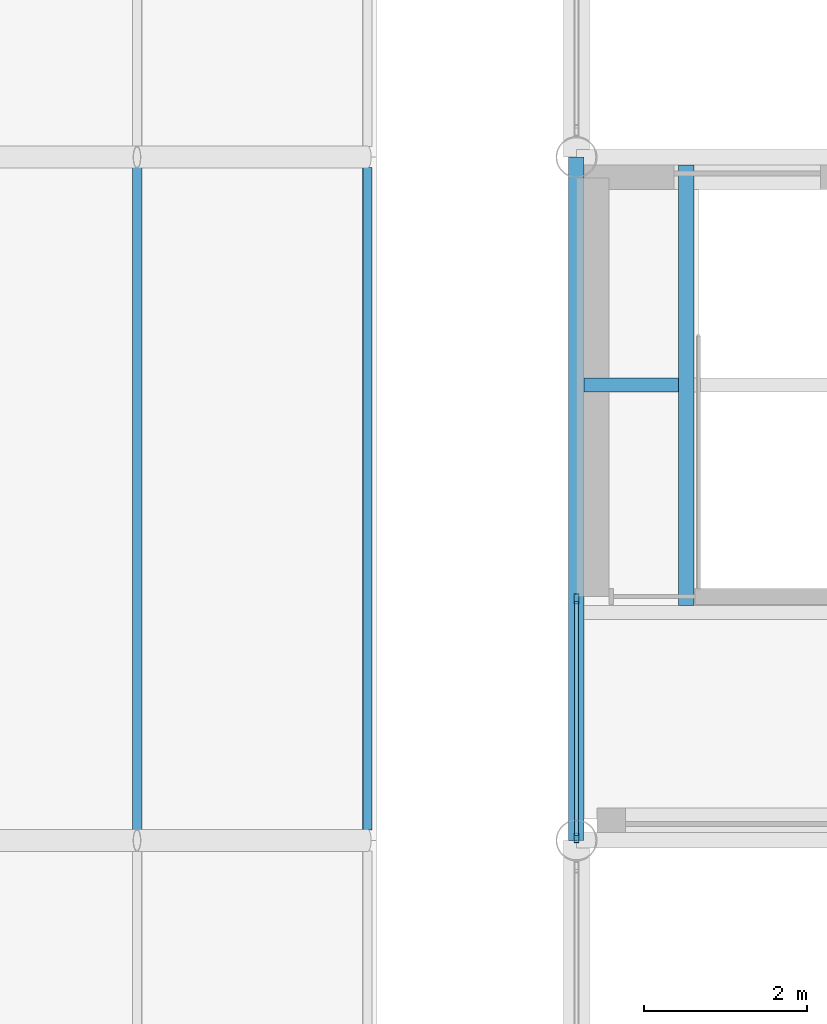
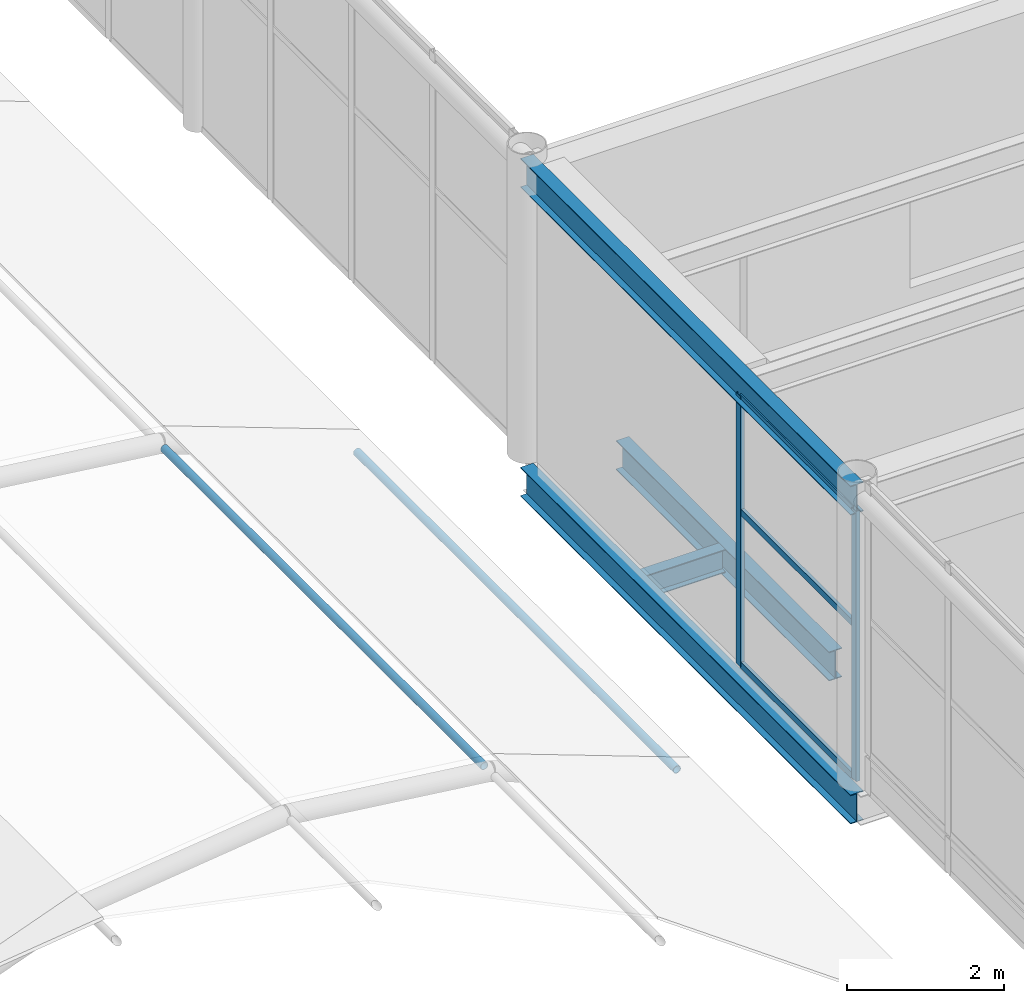
# One storey, part 55 of 167: 7 members, 4 beams, 1 element without a shape of its own.
"""IFC4 building model written with IfcOpenShell, lengths in metres."""

from ifc_helpers import new_model, si_unit, direction, frame, origin, origin_2d, place, context, subcontext, project, spatial, hollow_rectangle, hollow_circle, i_section, extrude, material, material_profile, profile_set, type_object, element, aggregate, save


model = new_model("IFC4")

# Units and contexts
model_context = context("Model", 3, precision=1e-05, world=origin(), true_north=direction((0.0, 1.0)))
body_context = subcontext(model_context, "Body", "Model", "MODEL_VIEW")
ifc_project = project(units=[si_unit("LENGTHUNIT", "METRE"), si_unit("AREAUNIT", "SQUARE_METRE"), si_unit("VOLUMEUNIT", "CUBIC_METRE"), si_unit("PLANEANGLEUNIT", "RADIAN"), si_unit("MASSUNIT", "GRAM", prefix="KILO")], contexts=[model_context])

# Site, building, storey
site_placement = place(None, origin())
site = spatial("IfcSite", under=ifc_project, at=site_placement, CompositionType="ELEMENT")
building_placement = place(site_placement, origin())
building = spatial("IfcBuilding", under=site, at=building_placement, Name="Catenary Quay Ferry Terminal", CompositionType="ELEMENT")
storey_placement = place(building_placement, frame((0.0, 0.0, 6.0)))
storey = spatial("IfcBuildingStorey", under=building, at=storey_placement, Name="L01", CompositionType="ELEMENT", Elevation=6.0)

# Beams
ifc_material_1 = material(Name="Steel S355", Category="steel")
ifc_material_profile_1 = material_profile(ifc_material_1, i_section(OverallWidth=0.18994140625, OverallDepth=0.453369140625, WebThickness=0.008544921875, FlangeThickness=0.0126953125, at=origin_2d()), Name="UB 457x191x67")
ifc_profile_set_1 = profile_set([ifc_material_profile_1], Name="Steel S355")
beam_type_1 = type_object("IfcBeamType", Name="B1 UB 457x191x67", PredefinedType="BEAM", material=ifc_profile_set_1)
for number, where, z_axis, x_axis, name in (
    (1, (25.199951171875, 100.800048828125, 4.373046875), (0.0, 1.0, 0.0), (-1.0, 0.0, 0.0), "Beam B1-053"),
    (2, (25.199951171875, 100.800048828125, -0.427001953125), (0.0, 1.0, 0.0), (-1.0, 0.0, 0.0), "Beam B1-090"),
):
    element("IfcBeam", number, at=place(storey_placement, frame(where, z_axis=z_axis, x_axis=x_axis)), inside=storey, type_object=beam_type_1, Name=name, PredefinedType="BEAM", context=body_context, shape_type="SweptSolid", body=[
        extrude(i_section(OverallWidth=0.18994140625, OverallDepth=0.453369140625, WebThickness=0.008544921875, FlangeThickness=0.0126953125, at=origin_2d()), origin(), (0.0, 0.0, 1.0), 8.39990234375),
    ])
beam_1_placement = place(storey_placement, frame((26.550048828125, 103.68505859375, -0.427001953125), z_axis=(0.0, 1.0, 0.0), x_axis=(-1.0, 0.0, 0.0)))
element("IfcBeam", 3, at=beam_1_placement, inside=storey, type_object=beam_type_1, Name="Beam B1-094", PredefinedType="BEAM", context=body_context, shape_type="SweptSolid", body=[
    extrude(i_section(OverallWidth=0.18994140625, OverallDepth=0.453369140625, WebThickness=0.008544921875, FlangeThickness=0.0126953125, at=origin_2d()), origin(), (0.0, 0.0, 1.0), 5.419921875),
])
ifc_material_2 = material(Name="Steel S355", Category="steel")
ifc_material_profile_2 = material_profile(ifc_material_2, i_section(OverallWidth=0.169921875, OverallDepth=0.360107421875, WebThickness=0.008056640625, FlangeThickness=0.0126953125, at=origin_2d()), Name="IPE 360")
ifc_profile_set_2 = profile_set([ifc_material_profile_2], Name="Steel S355")
beam_type_2 = type_object("IfcBeamType", Name="B7 IPE 360", PredefinedType="BEAM", material=ifc_profile_set_2)
beam_2_placement = place(storey_placement, frame((25.294921875, 106.39990234375, -0.3798828125), z_axis=(1.0, 0.0, 0.0), x_axis=(0.0, 1.0, 0.0)))
element("IfcBeam", 4, at=beam_2_placement, inside=storey, type_object=beam_type_2, Name="Beam B7-021", PredefinedType="BEAM", context=body_context, shape_type="SweptSolid", body=[
    extrude(i_section(OverallWidth=0.169921875, OverallDepth=0.360107421875, WebThickness=0.008056640625, FlangeThickness=0.0126953125, at=origin_2d()), origin(), (0.0, 0.0, 1.0), 1.16015625),
])

# Curtain wall, members
ifc_material_3 = material(Name="Aluminium and glass", Category="aluminium")
curtain_wall_type = type_object("IfcCurtainWallType", Name="CWT", PredefinedType="NOTDEFINED", material=ifc_material_3)
curtain_wall_placement = place(storey_placement, origin())
curtain_wall = element("IfcCurtainWall", 5, at=curtain_wall_placement, inside=storey, type_object=curtain_wall_type, Name="Spine corridor curtain wall CW73", PredefinedType="NOTDEFINED")
ifc_material_4 = material(Name="Aluminium", Category="aluminium")
ifc_material_profile_3 = material_profile(ifc_material_4, hollow_rectangle(XDim=0.06005859375, YDim=0.1201171875, WallThickness=0.0048828125, at=origin_2d()), Name="MU4")
ifc_profile_set_3 = profile_set([ifc_material_profile_3], Name="Aluminium")
member_type_1 = type_object("IfcMemberType", Name="MU4", PredefinedType="MULLION", material=ifc_profile_set_3)
member_1_placement = place(storey_placement, frame((25.199951171875, 100.830078125, 0.0), z_axis=(0.0, 0.0, 1.0), x_axis=(-1.0, 0.0, 0.0)))
member_1 = element("IfcMember", 6, at=member_1_placement, type_object=member_type_1, Name="CW73 mullion 1", PredefinedType="MULLION", context=body_context, shape_type="SweptSolid", body=[
    extrude(hollow_rectangle(XDim=0.06005859375, YDim=0.1201171875, WallThickness=0.0048828125, at=origin_2d()), origin(), (0.0, 0.0, 1.0), 4.199951171875),
])
member_2_placement = place(storey_placement, frame((25.199951171875, 103.77001953125, 0.0), z_axis=(0.0, 0.0, 1.0), x_axis=(-1.0, 0.0, 0.0)))
member_2 = element("IfcMember", 7, at=member_2_placement, type_object=member_type_1, Name="CW73 mullion 2", PredefinedType="MULLION", context=body_context, shape_type="SweptSolid", body=[
    extrude(hollow_rectangle(XDim=0.06005859375, YDim=0.1201171875, WallThickness=0.0048828125, at=origin_2d()), origin(), (0.0, 0.0, 1.0), 4.199951171875),
])

# Members
ifc_material_5 = material(Name="Steel S355", Category="steel")
ifc_material_profile_4 = material_profile(ifc_material_5, hollow_circle(Radius=0.05712890625, WallThickness=0.00634765625, at=origin_2d()), Name="CHS 114.3x6.3")
ifc_profile_set_4 = profile_set([ifc_material_profile_4], Name="Steel S355")
member_type_2 = type_object("IfcMemberType", Name="PU2 CHS 114.3x6.3", PredefinedType="PURLIN", material=ifc_profile_set_4)
for number, where, z_axis, x_axis, name in (
    (8, (19.797119140625, 100.929931640625, 2.031005859375), (0.0, 1.0, 0.0), (-1.0, 0.0, 0.0), "Purlin PU-FC-05-04"),
    (9, (22.62890625, 100.929931640625, 0.98388671875), (0.0, 1.0, 0.0), (-1.0, 0.0, 0.0), "Purlin PU-FC-05-05"),
):
    element("IfcMember", number, at=place(storey_placement, frame(where, z_axis=z_axis, x_axis=x_axis)), inside=storey, type_object=member_type_2, Name=name, PredefinedType="PURLIN", context=body_context, shape_type="SweptSolid", body=[
        extrude(hollow_circle(Radius=0.05712890625, WallThickness=0.00634765625, at=origin_2d()), origin(), (0.0, 0.0, 1.0), 8.14013671875),
    ])

# Member
ifc_material_6 = material(Name="Aluminium", Category="aluminium")
ifc_material_profile_5 = material_profile(ifc_material_6, hollow_rectangle(XDim=0.050048828125, YDim=0.10009765625, WallThickness=0.00390625, at=origin_2d()), Name="TR4")
ifc_profile_set_5 = profile_set([ifc_material_profile_5], Name="Aluminium")
member_type_3 = type_object("IfcMemberType", Name="TR4", PredefinedType="USERDEFINED", material=ifc_profile_set_5)
member_3_placement = place(storey_placement, frame((25.199951171875, 100.860107421875, 0.02490234375), z_axis=(0.0, 1.0, 0.0), x_axis=(-1.0, 0.0, 0.0)))
member_3 = element("IfcMember", 10, at=member_3_placement, type_object=member_type_3, Name="CW73 transom 1.1", ObjectType="TRANSOM", PredefinedType="USERDEFINED", context=body_context, shape_type="SweptSolid", body=[
    extrude(hollow_rectangle(XDim=0.050048828125, YDim=0.10009765625, WallThickness=0.00390625, at=origin_2d()), origin(), (0.0, 0.0, 1.0), 2.8798828125),
])

member_4_placement = place(storey_placement, frame((25.199951171875, 100.860107421875, 2.39990234375), z_axis=(0.0, 1.0, 0.0), x_axis=(-1.0, 0.0, 0.0)))
member_4 = element("IfcMember", 11, at=member_4_placement, type_object=member_type_3, Name="CW73 transom 1.2", ObjectType="TRANSOM", PredefinedType="USERDEFINED", context=body_context, shape_type="SweptSolid", body=[
    extrude(hollow_rectangle(XDim=0.050048828125, YDim=0.10009765625, WallThickness=0.00390625, at=origin_2d()), origin(), (0.0, 0.0, 1.0), 2.8798828125),
])

member_5_placement = place(storey_placement, frame((25.199951171875, 100.860107421875, 4.175048828125), z_axis=(0.0, 1.0, 0.0), x_axis=(-1.0, 0.0, 0.0)))
member_5 = element("IfcMember", 12, at=member_5_placement, type_object=member_type_3, Name="CW73 transom 1.3", ObjectType="TRANSOM", PredefinedType="USERDEFINED", context=body_context, shape_type="SweptSolid", body=[
    extrude(hollow_rectangle(XDim=0.050048828125, YDim=0.10009765625, WallThickness=0.00390625, at=origin_2d()), origin(), (0.0, 0.0, 1.0), 2.8798828125),
])

aggregate(curtain_wall, [member_1, member_2, member_3, member_4, member_5])

save(model, "model.ifc")
